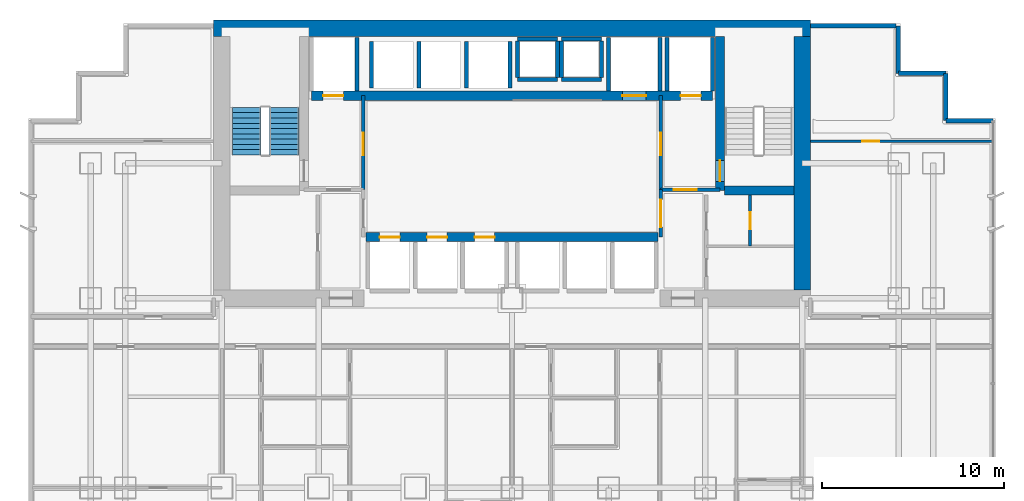
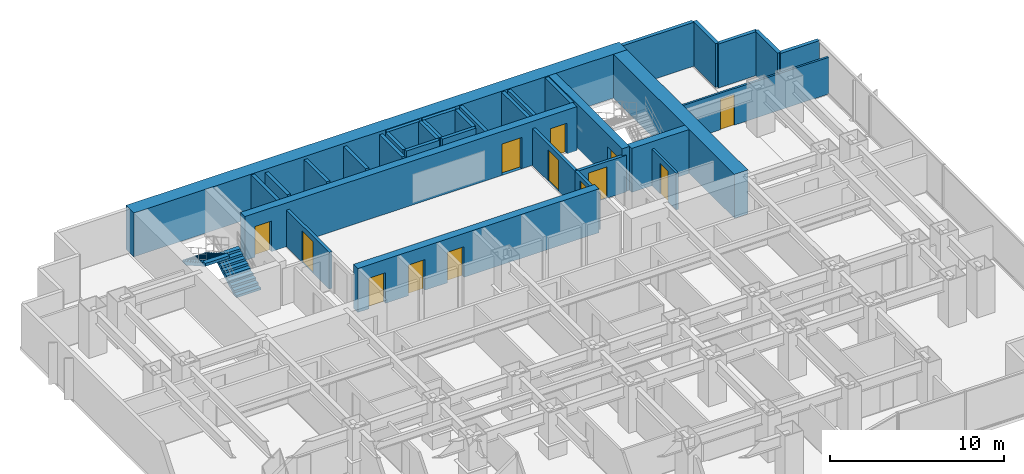
# One storey, part 9 of 12: 34 walls, 13 doors, 2 stair flights, 13 openings, 1 element without a shape of its own.
"""IFC4 building model written with IfcOpenShell, lengths in metres."""

from ifc_helpers import new_model, si_unit, direction, frame, frame_2d, origin, place, context, subcontext, project, spatial, polyline, rectangle, outline, extrude, material, layer, layer_set, type_object, element, fill, aggregate, save


model = new_model("IFC4")

# Units and contexts
model_context = context("Model", 3, precision=1e-05, world=origin(), true_north=direction((0.0, 1.0)))
body_context = subcontext(model_context, "Body", "Model", "MODEL_VIEW")
ifc_project = project(units=[si_unit("LENGTHUNIT", "METRE"), si_unit("AREAUNIT", "SQUARE_METRE"), si_unit("VOLUMEUNIT", "CUBIC_METRE"), si_unit("PLANEANGLEUNIT", "RADIAN"), si_unit("MASSUNIT", "GRAM", prefix="KILO")], contexts=[model_context])

# Site, building, storey
site_placement = place(None, origin())
site = spatial("IfcSite", under=ifc_project, at=site_placement, CompositionType="ELEMENT")
building_placement = place(site_placement, origin())
building = spatial("IfcBuilding", under=site, at=building_placement, Name="Qianlan Lanfeng Residences", CompositionType="ELEMENT")
storey_placement = place(building_placement, frame((0.0, 0.0, 47.300048828125)))
storey = spatial("IfcBuildingStorey", under=building, at=storey_placement, Name="L12", CompositionType="ELEMENT", Elevation=47.300048828125)

# Wall, opening, door
ifc_material_1 = material(Name="Concrete C70", Category="concrete")
ifc_layer_1 = layer(ifc_material_1, 0.5)
ifc_layer_set_1 = layer_set([ifc_layer_1], Name="Concrete C70")
wall_type_1 = type_object("IfcWallType", Name="CW-RC-500", PredefinedType="SHEAR", material=ifc_layer_set_1)
wall_1_placement = place(storey_placement, frame((37.89990234375, 31.10009765625, 0.0), z_axis=(0.0, 0.0, 1.0), x_axis=(0.0, 1.0, 0.0)))
wall_1 = element("IfcWall", 1, at=wall_1_placement, inside=storey, type_object=wall_type_1, Name="L12 Core Shear Wall ST2W", PredefinedType="SHEAR", context=body_context, shape_type="SweptSolid", body=[
    extrude(rectangle(XDim=8.449951171875, YDim=0.5, at=frame_2d((4.22509765625, 0.0))), origin(), (0.0, 0.0, 1.0), 3.079833984375),
])
opening_1_placement = place(wall_1_placement, frame((0.510009765625, 0.0, 0.0)))
opening_1 = element("IfcOpeningElement", 2, at=opening_1_placement, cuts=wall_1, Name="Opening L12-D08", PredefinedType="OPENING", context=body_context, shape_type="SweptSolid", body=[
    extrude(rectangle(XDim=1.14990234375, YDim=2.199951171875, at=frame_2d((0.574951171875, 1.10009765625))), frame((0.0, 0.260009765625, 0.0), z_axis=(0.0, -1.0, 0.0), x_axis=(1.0, 0.0, 0.0)), (0.0, 0.0, 1.0), 0.52001953125),
])
ifc_material_2 = material(Name="Painted Galvanised Steel Fire Door", Category="steel")
door_type_1 = type_object("IfcDoorType", Name="DT-ST1", OperationType="NOTDEFINED", PredefinedType="DOOR", material=ifc_material_2)
door_1_placement = place(opening_1_placement, origin())
door_1 = element("IfcDoor", 3, at=door_1_placement, inside=storey, type_object=door_type_1, Name="L12 Exit Stair ST-2 Door L12-D08 (DT-ST1)", OperationType="SINGLE_SWING_RIGHT", OverallHeight=2.199951171875, OverallWidth=1.14990234375, PredefinedType="DOOR", context=body_context, shape_type="SweptSolid", body=[
    extrude(rectangle(XDim=1.14990234375, YDim=2.199951171875, at=frame_2d((0.574951171875, 1.10009765625))), frame((0.0, 0.02490234375, 0.0), z_axis=(0.0, -1.0, 0.0), x_axis=(1.0, 0.0, 0.0)), (0.0, 0.0, 1.0), 0.050048828125),
])
fill(opening_1, door_1)

# Wall
wall_2_placement = place(storey_placement, frame((38.14990234375, 31.10009765625, 0.0), z_axis=(0.0, 0.0, 1.0), x_axis=(1.0, 0.0, 0.0)))
element("IfcWall", 4, at=wall_2_placement, inside=storey, type_object=wall_type_1, Name="L12 Core Shear Wall ST2S", PredefinedType="SHEAR", context=body_context, shape_type="SweptSolid", body=[
    extrude(rectangle(XDim=3.800048828125, YDim=0.5, at=frame_2d((1.89990234375, 0.0))), origin(), (0.0, 0.0, 1.0), 3.079833984375),
])

# Wall, openings, doors
wall_3_placement = place(storey_placement, frame((15.5, 36.300048828125, 0.0), z_axis=(0.0, 0.0, 1.0), x_axis=(1.0, 0.0, 0.0)))
wall_3 = element("IfcWall", 5, at=wall_3_placement, inside=storey, type_object=wall_type_1, Name="L12 Core Shear Wall LBN", PredefinedType="SHEAR", context=body_context, shape_type="SweptSolid", body=[
    extrude(rectangle(XDim=22.0, YDim=0.5, at=frame_2d((11.0, 0.0))), origin(), (0.0, 0.0, 1.0), 3.079833984375),
])
opening_2_placement = place(wall_3_placement, frame((0.64990234375, 0.0, 0.0)))
opening_2 = element("IfcOpeningElement", 6, at=opening_2_placement, cuts=wall_3, Name="Opening L12-LD-FFL-1", PredefinedType="OPENING", context=body_context, shape_type="SweptSolid", body=[
    extrude(rectangle(XDim=1.10009765625, YDim=2.14990234375, at=frame_2d((0.550048828125, 1.074951171875))), frame((0.0, 0.260009765625, 0.0), z_axis=(0.0, -1.0, 0.0), x_axis=(1.0, 0.0, 0.0)), (0.0, 0.0, 1.0), 0.52001953125),
])
opening_3_placement = place(wall_3_placement, frame((20.25, 0.0, 0.0)))
opening_3 = element("IfcOpeningElement", 7, at=opening_3_placement, cuts=wall_3, Name="Opening L12-LD-FFL-2", PredefinedType="OPENING", context=body_context, shape_type="SweptSolid", body=[
    extrude(rectangle(XDim=1.10009765625, YDim=2.14990234375, at=frame_2d((0.550048828125, 1.074951171875))), frame((0.0, 0.260009765625, 0.0), z_axis=(0.0, -1.0, 0.0), x_axis=(1.0, 0.0, 0.0)), (0.0, 0.0, 1.0), 0.52001953125),
])
opening_4_placement = place(wall_3_placement, frame((17.050048828125, 0.0, 0.0)))
opening_4 = element("IfcOpeningElement", 8, at=opening_4_placement, cuts=wall_3, Name="Opening L12-LD-SVL-1", PredefinedType="OPENING", context=body_context, shape_type="SweptSolid", body=[
    extrude(rectangle(XDim=1.300048828125, YDim=2.199951171875, at=frame_2d((0.64990234375, 1.10009765625))), frame((0.0, 0.260009765625, 0.0), z_axis=(0.0, -1.0, 0.0), x_axis=(1.0, 0.0, 0.0)), (0.0, 0.0, 1.0), 0.52001953125),
])
ifc_material_3 = material(Name="Brushed Stainless Steel Sliding Lift Door", Category="steel")
door_type_2 = type_object("IfcDoorType", Name="LD-01", OperationType="NOTDEFINED", PredefinedType="DOOR", material=ifc_material_3)
door_2_placement = place(opening_2_placement, frame((1.10009765625, 0.0, 0.0), z_axis=(0.0, 0.0, 1.0), x_axis=(-1.0, 0.0, 0.0)))
door_2 = element("IfcDoor", 9, at=door_2_placement, inside=storey, type_object=door_type_2, Name="L12 Elevator FFL-1 Sliding Landing Door", OperationType="DOUBLE_DOOR_SLIDING", OverallHeight=2.14990234375, OverallWidth=1.10009765625, PredefinedType="DOOR", context=body_context, shape_type="SweptSolid", body=[
    extrude(rectangle(XDim=1.10009765625, YDim=2.14990234375, at=frame_2d((0.550048828125, 1.074951171875))), frame((0.0, 0.02490234375, 0.0), z_axis=(0.0, -1.0, 0.0), x_axis=(1.0, 0.0, 0.0)), (0.0, 0.0, 1.0), 0.050048828125),
])
fill(opening_2, door_2)
door_3_placement = place(opening_3_placement, frame((1.10009765625, 0.0, 0.0), z_axis=(0.0, 0.0, 1.0), x_axis=(-1.0, 0.0, 0.0)))
door_3 = element("IfcDoor", 10, at=door_3_placement, inside=storey, type_object=door_type_2, Name="L12 Elevator FFL-2 Sliding Landing Door", OperationType="DOUBLE_DOOR_SLIDING", OverallHeight=2.14990234375, OverallWidth=1.10009765625, PredefinedType="DOOR", context=body_context, shape_type="SweptSolid", body=[
    extrude(rectangle(XDim=1.10009765625, YDim=2.14990234375, at=frame_2d((0.550048828125, 1.074951171875))), frame((0.0, 0.02490234375, 0.0), z_axis=(0.0, -1.0, 0.0), x_axis=(1.0, 0.0, 0.0)), (0.0, 0.0, 1.0), 0.050048828125),
])
fill(opening_3, door_3)
door_type_3 = type_object("IfcDoorType", Name="LD-02", OperationType="NOTDEFINED", PredefinedType="DOOR", material=ifc_material_3)
door_4_placement = place(opening_4_placement, frame((1.300048828125, 0.0, 0.0), z_axis=(0.0, 0.0, 1.0), x_axis=(-1.0, 0.0, 0.0)))
door_4 = element("IfcDoor", 11, at=door_4_placement, inside=storey, type_object=door_type_3, Name="L12 Elevator SVL-1 Sliding Landing Door", OperationType="DOUBLE_DOOR_SLIDING", OverallHeight=2.199951171875, OverallWidth=1.300048828125, PredefinedType="DOOR", context=body_context, shape_type="SweptSolid", body=[
    extrude(rectangle(XDim=1.300048828125, YDim=2.199951171875, at=frame_2d((0.64990234375, 1.10009765625))), frame((0.0, 0.02490234375, 0.0), z_axis=(0.0, -1.0, 0.0), x_axis=(1.0, 0.0, 0.0)), (0.0, 0.0, 1.0), 0.050048828125),
])
fill(opening_4, door_4)

wall_4_placement = place(storey_placement, frame((18.5, 28.550048828125, 0.0), z_axis=(0.0, 0.0, 1.0), x_axis=(1.0, 0.0, 0.0)))
wall_4 = element("IfcWall", 12, at=wall_4_placement, inside=storey, type_object=wall_type_1, Name="L12 Core Shear Wall LBS", PredefinedType="SHEAR", context=body_context, shape_type="SweptSolid", body=[
    extrude(rectangle(XDim=16.0, YDim=0.5, at=frame_2d((8.0, 0.0))), origin(), (0.0, 0.0, 1.0), 3.079833984375),
])
opening_5_placement = place(wall_4_placement, frame((0.75, 0.0, 0.0)))
opening_5 = element("IfcOpeningElement", 13, at=opening_5_placement, cuts=wall_4, Name="Opening L12-LD-PL-L1", PredefinedType="OPENING", context=body_context, shape_type="SweptSolid", body=[
    extrude(rectangle(XDim=1.10009765625, YDim=2.14990234375, at=frame_2d((0.550048828125, 1.074951171875))), frame((0.0, 0.260009765625, 0.0), z_axis=(0.0, -1.0, 0.0), x_axis=(1.0, 0.0, 0.0)), (0.0, 0.0, 1.0), 0.52001953125),
])
opening_6_placement = place(wall_4_placement, frame((3.35009765625, 0.0, 0.0)))
opening_6 = element("IfcOpeningElement", 14, at=opening_6_placement, cuts=wall_4, Name="Opening L12-LD-PL-L2", PredefinedType="OPENING", context=body_context, shape_type="SweptSolid", body=[
    extrude(rectangle(XDim=1.10009765625, YDim=2.14990234375, at=frame_2d((0.550048828125, 1.074951171875))), frame((0.0, 0.260009765625, 0.0), z_axis=(0.0, -1.0, 0.0), x_axis=(1.0, 0.0, 0.0)), (0.0, 0.0, 1.0), 0.52001953125),
])
opening_7_placement = place(wall_4_placement, frame((5.949951171875, 0.0, 0.0)))
opening_7 = element("IfcOpeningElement", 15, at=opening_7_placement, cuts=wall_4, Name="Opening L12-LD-PL-L3", PredefinedType="OPENING", context=body_context, shape_type="SweptSolid", body=[
    extrude(rectangle(XDim=1.10009765625, YDim=2.14990234375, at=frame_2d((0.550048828125, 1.074951171875))), frame((0.0, 0.260009765625, 0.0), z_axis=(0.0, -1.0, 0.0), x_axis=(1.0, 0.0, 0.0)), (0.0, 0.0, 1.0), 0.52001953125),
])
door_5_placement = place(opening_5_placement, origin())
door_5 = element("IfcDoor", 16, at=door_5_placement, inside=storey, type_object=door_type_2, Name="L12 Elevator PL-L1 Sliding Landing Door", OperationType="DOUBLE_DOOR_SLIDING", OverallHeight=2.14990234375, OverallWidth=1.10009765625, PredefinedType="DOOR", context=body_context, shape_type="SweptSolid", body=[
    extrude(rectangle(XDim=1.10009765625, YDim=2.14990234375, at=frame_2d((0.550048828125, 1.074951171875))), frame((0.0, 0.02490234375, 0.0), z_axis=(0.0, -1.0, 0.0), x_axis=(1.0, 0.0, 0.0)), (0.0, 0.0, 1.0), 0.050048828125),
])
fill(opening_5, door_5)
door_6_placement = place(opening_6_placement, origin())
door_6 = element("IfcDoor", 17, at=door_6_placement, inside=storey, type_object=door_type_2, Name="L12 Elevator PL-L2 Sliding Landing Door", OperationType="DOUBLE_DOOR_SLIDING", OverallHeight=2.14990234375, OverallWidth=1.10009765625, PredefinedType="DOOR", context=body_context, shape_type="SweptSolid", body=[
    extrude(rectangle(XDim=1.10009765625, YDim=2.14990234375, at=frame_2d((0.550048828125, 1.074951171875))), frame((0.0, 0.02490234375, 0.0), z_axis=(0.0, -1.0, 0.0), x_axis=(1.0, 0.0, 0.0)), (0.0, 0.0, 1.0), 0.050048828125),
])
fill(opening_6, door_6)
door_7_placement = place(opening_7_placement, origin())
door_7 = element("IfcDoor", 18, at=door_7_placement, inside=storey, type_object=door_type_2, Name="L12 Elevator PL-L3 Sliding Landing Door", OperationType="DOUBLE_DOOR_SLIDING", OverallHeight=2.14990234375, OverallWidth=1.10009765625, PredefinedType="DOOR", context=body_context, shape_type="SweptSolid", body=[
    extrude(rectangle(XDim=1.10009765625, YDim=2.14990234375, at=frame_2d((0.550048828125, 1.074951171875))), frame((0.0, 0.02490234375, 0.0), z_axis=(0.0, -1.0, 0.0), x_axis=(1.0, 0.0, 0.0)), (0.0, 0.0, 1.0), 0.050048828125),
])
fill(opening_7, door_7)

# Walls
ifc_layer_2 = layer(ifc_material_1, 0.89990234375)
ifc_layer_set_2 = layer_set([ifc_layer_2], Name="Concrete C70")
wall_type_2 = type_object("IfcWallType", Name="CW-RC-900", PredefinedType="SHEAR", material=ifc_layer_set_2)
wall_5_placement = place(storey_placement, frame((10.14990234375, 40.0, 0.0), z_axis=(0.0, 0.0, 1.0), x_axis=(1.0, 0.0, 0.0)))
element("IfcWall", 19, at=wall_5_placement, inside=storey, type_object=wall_type_2, Name="L12 Core Shear Wall N", PredefinedType="SHEAR", context=body_context, shape_type="SweptSolid", body=[
    extrude(rectangle(XDim=32.7001953125, YDim=0.89990234375, at=frame_2d((16.35009765625, 0.0))), origin(), (0.0, 0.0, 1.0), 3.079833984375),
])
wall_6_placement = place(storey_placement, frame((42.39990234375, 25.64990234375, 0.0), z_axis=(0.0, 0.0, 1.0), x_axis=(0.0, 1.0, 0.0)))
element("IfcWall", 20, at=wall_6_placement, inside=storey, type_object=wall_type_2, Name="L12 Core Shear Wall E", PredefinedType="SHEAR", context=body_context, shape_type="SweptSolid", body=[
    extrude(rectangle(XDim=13.900146484375, YDim=0.89990234375, at=frame_2d((6.9501953125, 0.0))), origin(), (0.0, 0.0, 1.0), 3.079833984375),
])
ifc_material_4 = material(Name="Concrete C42", Category="concrete")
ifc_layer_3 = layer(ifc_material_4, 0.239990234375)
ifc_layer_set_3 = layer_set([ifc_layer_3], Name="Concrete C42")
wall_type_3 = type_object("IfcWallType", Name="EW-240", PredefinedType="SOLIDWALL", material=ifc_layer_set_3)
wall_7_placement = place(storey_placement, frame((52.8798828125, 34.929931640625, 0.0), z_axis=(0.0, 0.0, 1.0), x_axis=(-1.0, 0.0, 0.0)))
element("IfcWall", 21, at=wall_7_placement, inside=storey, type_object=wall_type_3, Name="L12 Exterior Facade Spandrel Wall 11", PredefinedType="SOLIDWALL", context=body_context, shape_type="SweptSolid", body=[
    extrude(rectangle(XDim=2.599853515625, YDim=0.239990234375, at=frame_2d((1.2998046875, 0.0))), origin(), (0.0, 0.0, 1.0), 3.079833984375),
])
for number, where, z_axis, x_axis, name in (
    (22, (50.280029296875, 34.929931640625, 0.0), (0.0, 0.0, 1.0), (0.0, 1.0, 0.0), "L12 Exterior Facade Spandrel Wall 12"),
    (23, (50.280029296875, 37.530029296875, 0.0), (0.0, 0.0, 1.0), (-1.0, 0.0, 0.0), "L12 Exterior Facade Spandrel Wall 13"),
):
    element("IfcWall", number, at=place(storey_placement, frame(where, z_axis=z_axis, x_axis=x_axis)), inside=storey, type_object=wall_type_3, Name=name, PredefinedType="SOLIDWALL", context=body_context, shape_type="SweptSolid", body=[
        extrude(rectangle(XDim=2.60009765625, YDim=0.239990234375, at=frame_2d((1.300048828125, 0.0))), origin(), (0.0, 0.0, 1.0), 3.079833984375),
    ])
wall_8_placement = place(storey_placement, frame((47.679931640625, 37.530029296875, 0.0), z_axis=(0.0, 0.0, 1.0), x_axis=(0.0, 1.0, 0.0)))
element("IfcWall", 24, at=wall_8_placement, inside=storey, type_object=wall_type_3, Name="L12 Exterior Facade Spandrel Wall 14", PredefinedType="SOLIDWALL", context=body_context, shape_type="SweptSolid", body=[
    extrude(rectangle(XDim=2.599853515625, YDim=0.239990234375, at=frame_2d((1.2998046875, 0.0))), origin(), (0.0, 0.0, 1.0), 3.079833984375),
])
wall_9_placement = place(storey_placement, frame((47.550048828125, 40.1298828125, 0.0), z_axis=(0.0, 0.0, 1.0), x_axis=(-1.0, 0.0, 0.0)))
element("IfcWall", 25, at=wall_9_placement, inside=storey, type_object=wall_type_3, Name="L12 North Wing Exterior Wall E", PredefinedType="SOLIDWALL", context=body_context, shape_type="SweptSolid", body=[
    extrude(rectangle(XDim=4.699951171875, YDim=0.239990234375, at=frame_2d((2.35009765625, 0.0))), origin(), (0.0, 0.0, 1.0), 3.079833984375),
])

# Wall, opening, door
ifc_material_5 = material(Name="Moisture-Resistant Gypsum Partition 135 mm")
ifc_layer_4 = layer(ifc_material_5, 0.135009765625)
ifc_layer_set_4 = layer_set([ifc_layer_4], Name="Moisture-Resistant Gypsum Partition 135 mm")
wall_type_4 = type_object("IfcWallType", Name="PW-135", PredefinedType="PARTITIONING", material=ifc_layer_set_4)
wall_10_placement = place(storey_placement, frame((42.85009765625, 33.800048828125, 0.0), z_axis=(0.0, 0.0, 1.0), x_axis=(1.0, 0.0, 0.0)))
wall_10 = element("IfcWall", 26, at=wall_10_placement, inside=storey, type_object=wall_type_4, Name="L12 EW North Wing Wall", PredefinedType="PARTITIONING", context=body_context, shape_type="SweptSolid", body=[
    extrude(rectangle(XDim=10.02978515625, YDim=0.135009765625, at=frame_2d((5.014892578125, 0.0))), origin(), (0.0, 0.0, 1.0), 2.570068359375),
])
opening_8_placement = place(wall_10_placement, frame((2.85498046875, 0.0, 0.0)))
opening_8 = element("IfcOpeningElement", 27, at=opening_8_placement, cuts=wall_10, Name="Opening L12-D41", PredefinedType="OPENING", context=body_context, shape_type="SweptSolid", body=[
    extrude(rectangle(XDim=0.919921875, YDim=2.14990234375, at=frame_2d((0.4599609375, 1.074951171875))), frame((0.0, 0.07763671875, 0.0), z_axis=(0.0, -1.0, 0.0), x_axis=(1.0, 0.0, 0.0)), (0.0, 0.0, 1.0), 0.155029296875),
])
ifc_material_6 = material(Name="Glazed Timber Kitchen/Study Door", Category="wood")
door_type_4 = type_object("IfcDoorType", Name="DT-INT", OperationType="NOTDEFINED", PredefinedType="DOOR", material=ifc_material_6)
door_8_placement = place(opening_8_placement, origin())
door_8 = element("IfcDoor", 28, at=door_8_placement, inside=storey, type_object=door_type_4, Name="L12 EW Inner Salon Door L12-D41 (DT-INT)", OperationType="SINGLE_SWING_LEFT", OverallHeight=2.14990234375, OverallWidth=0.919921875, PredefinedType="DOOR", context=body_context, shape_type="SweptSolid", body=[
    extrude(rectangle(XDim=0.919921875, YDim=2.14990234375, at=frame_2d((0.4599609375, 1.074951171875))), frame((0.0, 0.02490234375, 0.0), z_axis=(0.0, -1.0, 0.0), x_axis=(1.0, 0.0, 0.0)), (0.0, 0.0, 1.0), 0.050048828125),
])
fill(opening_8, door_8)

ifc_material_7 = material(Name="Acoustic Drywall Partition 150 mm")
ifc_layer_5 = layer(ifc_material_7, 0.14990234375)
ifc_layer_set_5 = layer_set([ifc_layer_5], Name="Acoustic Drywall Partition 150 mm")
wall_type_5 = type_object("IfcWallType", Name="PW-150", PredefinedType="PARTITIONING", material=ifc_layer_set_5)
wall_11_placement = place(storey_placement, frame((39.550048828125, 28.050048828125, 0.0), z_axis=(0.0, 0.0, 1.0), x_axis=(0.0, 1.0, 0.0)))
wall_11 = element("IfcWall", 29, at=wall_11_placement, inside=storey, type_object=wall_type_5, Name="L12 Core East V Split", PredefinedType="PARTITIONING", context=body_context, shape_type="SweptSolid", body=[
    extrude(rectangle(XDim=2.800048828125, YDim=0.14990234375, at=frame_2d((1.39990234375, 0.0))), origin(), (0.0, 0.0, 1.0), 2.570068359375),
])
opening_9_placement = place(wall_11_placement, frame((0.93994140625, 0.0, 0.0)))
opening_9 = element("IfcOpeningElement", 30, at=opening_9_placement, cuts=wall_11, Name="Opening L12-D12", PredefinedType="OPENING", context=body_context, shape_type="SweptSolid", body=[
    extrude(rectangle(XDim=0.919921875, YDim=2.14990234375, at=frame_2d((0.4599609375, 1.074951171875))), frame((0.0, 0.0849609375, 0.0), z_axis=(0.0, -1.0, 0.0), x_axis=(1.0, 0.0, 0.0)), (0.0, 0.0, 1.0), 0.169921875),
])
door_9_placement = place(opening_9_placement, origin())
door_9 = element("IfcDoor", 31, at=door_9_placement, inside=storey, type_object=door_type_4, Name="L12 Inner Supply Closet Door L12-D12 (DT-INT)", OperationType="SINGLE_SWING_RIGHT", OverallHeight=2.14990234375, OverallWidth=0.919921875, PredefinedType="DOOR", context=body_context, shape_type="SweptSolid", body=[
    extrude(rectangle(XDim=0.919921875, YDim=2.14990234375, at=frame_2d((0.4599609375, 1.074951171875))), frame((0.0, 0.02490234375, 0.0), z_axis=(0.0, -1.0, 0.0), x_axis=(1.0, 0.0, 0.0)), (0.0, 0.0, 1.0), 0.050048828125),
])
fill(opening_9, door_9)

ifc_material_8 = material(Name="Autoclaved Aerated Concrete Blockwork 200 mm", Category="masonry")
ifc_layer_6 = layer(ifc_material_8, 0.199951171875)
ifc_layer_set_6 = layer_set([ifc_layer_6], Name="Autoclaved Aerated Concrete Blockwork 200 mm")
wall_type_6 = type_object("IfcWallType", Name="PW-200", PredefinedType="PARTITIONING", material=ifc_layer_set_6)
wall_12_placement = place(storey_placement, frame((18.35009765625, 31.14990234375, 0.0), z_axis=(0.0, 0.0, 1.0), x_axis=(0.0, 1.0, 0.0)))
wall_12 = element("IfcWall", 32, at=wall_12_placement, inside=storey, type_object=wall_type_6, Name="L12 Firefighting Lobby 1 East Wall", PredefinedType="PARTITIONING", context=body_context, shape_type="SweptSolid", body=[
    extrude(rectangle(XDim=5.150146484375, YDim=0.199951171875, at=frame_2d((2.5751953125, 0.0))), origin(), (0.0, 0.0, 1.0), 2.570068359375),
])
opening_10_placement = place(wall_12_placement, frame((1.875, 0.0, 0.0)))
opening_10 = element("IfcOpeningElement", 33, at=opening_10_placement, cuts=wall_12, Name="Opening L12-D04", PredefinedType="OPENING", context=body_context, shape_type="SweptSolid", body=[
    extrude(rectangle(XDim=1.25, YDim=2.199951171875, at=frame_2d((0.625, 1.10009765625))), frame((0.0, 0.10986328125, 0.0), z_axis=(0.0, -1.0, 0.0), x_axis=(1.0, 0.0, 0.0)), (0.0, 0.0, 1.0), 0.219970703125),
])
door_type_5 = type_object("IfcDoorType", Name="DT-FFL", OperationType="NOTDEFINED", PredefinedType="DOOR", material=ifc_material_2)
door_10_placement = place(opening_10_placement, origin())
door_10 = element("IfcDoor", 34, at=door_10_placement, inside=storey, type_object=door_type_5, Name="L12 Firefighting Lobby 1 Lift Lobby Door L12-D04 (DT-FFL)", OperationType="SINGLE_SWING_RIGHT", OverallHeight=2.199951171875, OverallWidth=1.25, PredefinedType="DOOR", context=body_context, shape_type="SweptSolid", body=[
    extrude(rectangle(XDim=1.25, YDim=2.199951171875, at=frame_2d((0.625, 1.10009765625))), frame((0.0, 0.02490234375, 0.0), z_axis=(0.0, -1.0, 0.0), x_axis=(1.0, 0.0, 0.0)), (0.0, 0.0, 1.0), 0.050048828125),
])
fill(opening_10, door_10)

wall_13_placement = place(storey_placement, frame((34.64990234375, 31.14990234375, 0.0), z_axis=(0.0, 0.0, 1.0), x_axis=(1.0, 0.0, 0.0)))
wall_13 = element("IfcWall", 35, at=wall_13_placement, inside=storey, type_object=wall_type_6, Name="L12 Firefighting Lobby 2 South Wall", PredefinedType="PARTITIONING", context=body_context, shape_type="SweptSolid", body=[
    extrude(rectangle(XDim=3.25, YDim=0.199951171875, at=frame_2d((1.625, 0.0))), origin(), (0.0, 0.0, 1.0), 2.570068359375),
])
opening_11_placement = place(wall_13_placement, frame((0.72509765625, 0.0, 0.0)))
opening_11 = element("IfcOpeningElement", 36, at=opening_11_placement, cuts=wall_13, Name="Opening L12-D05", PredefinedType="OPENING", context=body_context, shape_type="SweptSolid", body=[
    extrude(rectangle(XDim=1.25, YDim=2.199951171875, at=frame_2d((0.625, 1.10009765625))), frame((0.0, 0.10986328125, 0.0), z_axis=(0.0, -1.0, 0.0), x_axis=(1.0, 0.0, 0.0)), (0.0, 0.0, 1.0), 0.219970703125),
])
door_11_placement = place(opening_11_placement, origin())
door_11 = element("IfcDoor", 37, at=door_11_placement, inside=storey, type_object=door_type_5, Name="L12 Firefighting Lobby 2 Entry Door L12-D05 (DT-FFL)", OperationType="SINGLE_SWING_RIGHT", OverallHeight=2.199951171875, OverallWidth=1.25, PredefinedType="DOOR", context=body_context, shape_type="SweptSolid", body=[
    extrude(rectangle(XDim=1.25, YDim=2.199951171875, at=frame_2d((0.625, 1.10009765625))), frame((0.0, 0.02490234375, 0.0), z_axis=(0.0, -1.0, 0.0), x_axis=(1.0, 0.0, 0.0)), (0.0, 0.0, 1.0), 0.050048828125),
])
fill(opening_11, door_11)

wall_14_placement = place(storey_placement, frame((34.64990234375, 31.14990234375, 0.0), z_axis=(0.0, 0.0, 1.0), x_axis=(0.0, 1.0, 0.0)))
wall_14 = element("IfcWall", 38, at=wall_14_placement, inside=storey, type_object=wall_type_6, Name="L12 Firefighting Lobby 2 West Wall", PredefinedType="PARTITIONING", context=body_context, shape_type="SweptSolid", body=[
    extrude(rectangle(XDim=5.150146484375, YDim=0.199951171875, at=frame_2d((2.5751953125, 0.0))), origin(), (0.0, 0.0, 1.0), 2.570068359375),
])
opening_12_placement = place(wall_14_placement, frame((1.875, 0.0, 0.0)))
opening_12 = element("IfcOpeningElement", 39, at=opening_12_placement, cuts=wall_14, Name="Opening L12-D06", PredefinedType="OPENING", context=body_context, shape_type="SweptSolid", body=[
    extrude(rectangle(XDim=1.25, YDim=2.199951171875, at=frame_2d((0.625, 1.10009765625))), frame((0.0, 0.10986328125, 0.0), z_axis=(0.0, -1.0, 0.0), x_axis=(1.0, 0.0, 0.0)), (0.0, 0.0, 1.0), 0.219970703125),
])
door_12_placement = place(opening_12_placement, origin())
door_12 = element("IfcDoor", 40, at=door_12_placement, inside=storey, type_object=door_type_5, Name="L12 Firefighting Lobby 2 Lift Lobby Door L12-D06 (DT-FFL)", OperationType="SINGLE_SWING_RIGHT", OverallHeight=2.199951171875, OverallWidth=1.25, PredefinedType="DOOR", context=body_context, shape_type="SweptSolid", body=[
    extrude(rectangle(XDim=1.25, YDim=2.199951171875, at=frame_2d((0.625, 1.10009765625))), frame((0.0, 0.02490234375, 0.0), z_axis=(0.0, -1.0, 0.0), x_axis=(1.0, 0.0, 0.0)), (0.0, 0.0, 1.0), 0.050048828125),
])
fill(opening_12, door_12)

wall_15_placement = place(storey_placement, frame((34.64990234375, 28.550048828125, 0.0), z_axis=(0.0, 0.0, 1.0), x_axis=(0.0, 1.0, 0.0)))
wall_15 = element("IfcWall", 41, at=wall_15_placement, inside=storey, type_object=wall_type_6, Name="L12 Lift Lobby East Connector Wall", PredefinedType="PARTITIONING", context=body_context, shape_type="SweptSolid", body=[
    extrude(rectangle(XDim=2.599853515625, YDim=0.199951171875, at=frame_2d((1.2998046875, 0.0))), origin(), (0.0, 0.0, 1.0), 2.570068359375),
])
opening_13_placement = place(wall_15_placement, frame((0.550048828125, 0.0, 0.0)))
opening_13 = element("IfcOpeningElement", 42, at=opening_13_placement, cuts=wall_15, Name="Opening L12-D14", PredefinedType="OPENING", context=body_context, shape_type="SweptSolid", body=[
    extrude(rectangle(XDim=1.5, YDim=2.25, at=frame_2d((0.75, 1.125))), frame((0.0, 0.10986328125, 0.0), z_axis=(0.0, -1.0, 0.0), x_axis=(1.0, 0.0, 0.0)), (0.0, 0.0, 1.0), 0.219970703125),
])
ifc_material_9 = material(Name="Timber Veneer Acoustic Fire Door", Category="wood")
door_type_6 = type_object("IfcDoorType", Name="DT-COR1", OperationType="NOTDEFINED", PredefinedType="DOOR", material=ifc_material_9)
door_13_placement = place(opening_13_placement, frame((1.5, 0.0, 0.0), z_axis=(0.0, 0.0, 1.0), x_axis=(-1.0, 0.0, 0.0)))
door_13 = element("IfcDoor", 43, at=door_13_placement, inside=storey, type_object=door_type_6, Name="L12 Lift Lobby East Portal Door L12-D14 (DT-COR1)", OperationType="DOUBLE_DOOR_SINGLE_SWING", OverallHeight=2.25, OverallWidth=1.5, PredefinedType="DOOR", context=body_context, shape_type="SweptSolid", body=[
    extrude(rectangle(XDim=1.5, YDim=2.25, at=frame_2d((0.75, 1.125))), frame((0.0, 0.02490234375, 0.0), z_axis=(0.0, -1.0, 0.0), x_axis=(1.0, 0.0, 0.0)), (0.0, 0.0, 1.0), 0.050048828125),
])
fill(opening_13, door_13)

# Walls
ifc_material_10 = material(Name="Concrete C49", Category="concrete")
ifc_layer_7 = layer(ifc_material_10, 0.219970703125)
ifc_layer_set_7 = layer_set([ifc_layer_7], Name="Concrete C49")
wall_type_7 = type_object("IfcWallType", Name="SHW-220", PredefinedType="SOLIDWALL", material=ifc_layer_set_7)
for number, where, z_axis, x_axis, name in (
    (44, (18.0, 36.550048828125, 0.0), (0.0, 0.0, 1.0), (0.0, 1.0, 0.0), "L12 Lift FFL-1 Shaft Wall E"),
    (45, (35.0, 36.550048828125, 0.0), (0.0, 0.0, 1.0), (0.0, 1.0, 0.0), "L12 Lift FFL-2 Shaft Wall W"),
    (46, (37.47998046875, 36.550048828125, 0.0), (0.0, 0.0, 1.0), (0.0, 1.0, 0.0), "L12 Lift FFL-2 Shaft Wall E"),
    (47, (31.800048828125, 36.550048828125, 0.0), (0.0, 0.0, 1.0), (0.0, 1.0, 0.0), "L12 Lift SVL-1 Shaft Wall W"),
    (48, (34.60009765625, 36.550048828125, 0.0), (0.0, 0.0, 1.0), (0.0, 1.0, 0.0), "L12 Lift SVL-1 Shaft Wall E"),
):
    element("IfcWall", number, at=place(storey_placement, frame(where, z_axis=z_axis, x_axis=x_axis)), inside=storey, type_object=wall_type_7, Name=name, PredefinedType="SOLIDWALL", context=body_context, shape_type="SweptSolid", body=[
        extrude(rectangle(XDim=2.929931640625, YDim=0.219970703125, at=frame_2d((1.46484375, 0.0))), origin(), (0.0, 0.0, 1.0), 3.079833984375),
    ])
for number, where, z_axis, x_axis, name in (
    (49, (18.800048828125, 36.719970703125, 0.0), (0.0, 0.0, 1.0), (0.0, 1.0, 0.0), "L12 Lift PL-H1 Shaft Wall W"),
    (50, (21.39990234375, 36.719970703125, 0.0), (0.0, 0.0, 1.0), (0.0, 1.0, 0.0), "L12 Lift PL-H2 Shaft Wall W"),
    (51, (24.0, 36.719970703125, 0.0), (0.0, 0.0, 1.0), (0.0, 1.0, 0.0), "L12 Lift PL-H3 Shaft Wall W"),
    (52, (26.39990234375, 36.719970703125, 0.0), (0.0, 0.0, 1.0), (0.0, 1.0, 0.0), "L12 Lift PL-H3 Shaft Wall E"),
):
    element("IfcWall", number, at=place(storey_placement, frame(where, z_axis=z_axis, x_axis=x_axis)), inside=storey, type_object=wall_type_7, Name=name, PredefinedType="SOLIDWALL", context=body_context, shape_type="SweptSolid", body=[
        extrude(rectangle(XDim=2.56005859375, YDim=0.219970703125, at=frame_2d((1.280029296875, 0.0))), origin(), (0.0, 0.0, 1.0), 3.079833984375),
    ])
for number, where, z_axis, x_axis, name in (
    (53, (26.800048828125, 37.31005859375, 0.0), (0.0, 0.0, 1.0), (0.0, 1.0, 0.0), "L12 MEP Riser MEP-R1 Shaft Wall W"),
    (54, (29.0, 37.31005859375, 0.0), (0.0, 0.0, 1.0), (0.0, 1.0, 0.0), "L12 MEP Riser MEP-R1 Shaft Wall E"),
):
    element("IfcWall", number, at=place(storey_placement, frame(where, z_axis=z_axis, x_axis=x_axis)), inside=storey, type_object=wall_type_7, Name=name, PredefinedType="SOLIDWALL", context=body_context, shape_type="SweptSolid", body=[
        extrude(rectangle(XDim=1.97998046875, YDim=0.219970703125, at=frame_2d((0.989990234375, 0.0))), origin(), (0.0, 0.0, 1.0), 3.079833984375),
    ])
for number, where, z_axis, x_axis, name in (
    (55, (26.800048828125, 39.39990234375, 0.0), (0.0, 0.0, 1.0), (1.0, 0.0, 0.0), "L12 MEP Riser MEP-R1 Shaft Wall N"),
    (56, (26.800048828125, 37.199951171875, 0.0), (0.0, 0.0, 1.0), (1.0, 0.0, 0.0), "L12 MEP Riser MEP-R1 Shaft Wall S"),
):
    element("IfcWall", number, at=place(storey_placement, frame(where, z_axis=z_axis, x_axis=x_axis)), inside=storey, type_object=wall_type_7, Name=name, PredefinedType="SOLIDWALL", context=body_context, shape_type="SweptSolid", body=[
        extrude(rectangle(XDim=2.199951171875, YDim=0.219970703125, at=frame_2d((1.10009765625, 0.0))), origin(), (0.0, 0.0, 1.0), 3.079833984375),
    ])
for number, where, z_axis, x_axis, name in (
    (57, (29.199951171875, 37.31005859375, 0.0), (0.0, 0.0, 1.0), (0.0, 1.0, 0.0), "L12 MEP Riser MEP-R2 Shaft Wall W"),
    (58, (31.39990234375, 37.31005859375, 0.0), (0.0, 0.0, 1.0), (0.0, 1.0, 0.0), "L12 MEP Riser MEP-R2 Shaft Wall E"),
):
    element("IfcWall", number, at=place(storey_placement, frame(where, z_axis=z_axis, x_axis=x_axis)), inside=storey, type_object=wall_type_7, Name=name, PredefinedType="SOLIDWALL", context=body_context, shape_type="SweptSolid", body=[
        extrude(rectangle(XDim=1.97998046875, YDim=0.219970703125, at=frame_2d((0.989990234375, 0.0))), origin(), (0.0, 0.0, 1.0), 3.079833984375),
    ])
for number, where, z_axis, x_axis, name in (
    (59, (29.199951171875, 39.39990234375, 0.0), (0.0, 0.0, 1.0), (1.0, 0.0, 0.0), "L12 MEP Riser MEP-R2 Shaft Wall N"),
    (60, (29.199951171875, 37.199951171875, 0.0), (0.0, 0.0, 1.0), (1.0, 0.0, 0.0), "L12 MEP Riser MEP-R2 Shaft Wall S"),
):
    element("IfcWall", number, at=place(storey_placement, frame(where, z_axis=z_axis, x_axis=x_axis)), inside=storey, type_object=wall_type_7, Name=name, PredefinedType="SOLIDWALL", context=body_context, shape_type="SweptSolid", body=[
        extrude(rectangle(XDim=2.199951171875, YDim=0.219970703125, at=frame_2d((1.10009765625, 0.0))), origin(), (0.0, 0.0, 1.0), 3.079833984375),
    ])

# Stair, stair flights
stair_type = type_object("IfcStairType", Name="STR-MAIN", PredefinedType="HALF_TURN_STAIR", material=ifc_material_4)
stair_placement = place(storey_placement, origin())
stair = element("IfcStair", 61, at=stair_placement, inside=storey, type_object=stair_type, Name="L12 Exit Stair ST-1", PredefinedType="HALF_TURN_STAIR")
stair_flight_type = type_object("IfcStairFlightType", Name="FLT-1720", PredefinedType="STRAIGHT", material=ifc_material_4)
stair_flight_1_placement = place(storey_placement, frame((14.02001953125, 33.050048828125, 0.0), z_axis=(0.0, 0.0, 1.0), x_axis=(0.0, 1.0, 0.0)))
stair_flight_1 = element("IfcStairFlight", 62, at=stair_flight_1_placement, type_object=stair_flight_type, Name="ST-1 flight 1", NumberOfRisers=10, NumberOfTreads=9, PredefinedType="STRAIGHT", RiserHeight=0.165, TreadLength=0.29, context=body_context, shape_type="SweptSolid", body=[
    extrude(outline(polyline([(0.0, 0.0), (0.0, 0.1650390625), (0.2900390625, 0.1650390625), (0.2900390625, 0.330078125), (0.580078125, 0.330078125), (0.580078125, 0.4951171875), (0.8701171875, 0.4951171875), (0.8701171875, 0.659912109375), (1.159912109375, 0.659912109375), (1.159912109375, 0.824951171875), (1.449951171875, 0.824951171875), (1.449951171875, 0.989990234375), (1.739990234375, 0.989990234375), (1.739990234375, 1.155029296875), (2.030029296875, 1.155029296875), (2.030029296875, 1.320068359375), (2.320068359375, 1.320068359375), (2.320068359375, 1.485107421875), (2.610107421875, 1.485107421875), (2.610107421875, 1.64990234375), (2.610107421875, 1.278076171875), (0.36376953125, 0.0), (0.0, 0.0)])), frame((0.0, 0.800048828125, 0.0), z_axis=(0.0, -1.0, 0.0), x_axis=(1.0, 0.0, 0.0)), (0.0, 0.0, 1.0), 1.60009765625),
])
stair_flight_2_placement = place(storey_placement, frame((11.93994140625, 35.659912109375, 1.64990234375), z_axis=(0.0, 0.0, 1.0), x_axis=(0.0, -1.0, 0.0)))
stair_flight_2 = element("IfcStairFlight", 63, at=stair_flight_2_placement, type_object=stair_flight_type, Name="ST-1 flight 2", NumberOfRisers=10, NumberOfTreads=9, PredefinedType="STRAIGHT", RiserHeight=0.165, TreadLength=0.29, context=body_context, shape_type="SweptSolid", body=[
    extrude(outline(polyline([(0.0, 0.0), (0.0, 0.1650390625), (0.2900390625, 0.1650390625), (0.2900390625, 0.330078125), (0.580078125, 0.330078125), (0.580078125, 0.4951171875), (0.8701171875, 0.4951171875), (0.8701171875, 0.659912109375), (1.159912109375, 0.659912109375), (1.159912109375, 0.824951171875), (1.449951171875, 0.824951171875), (1.449951171875, 0.989990234375), (1.739990234375, 0.989990234375), (1.739990234375, 1.155029296875), (2.030029296875, 1.155029296875), (2.030029296875, 1.320068359375), (2.320068359375, 1.320068359375), (2.320068359375, 1.485107421875), (2.610107421875, 1.485107421875), (2.610107421875, 1.64990234375), (2.610107421875, 1.278076171875), (0.36376953125, 0.0), (0.0, 0.0)])), frame((0.0, 0.800048828125, 0.0), z_axis=(0.0, -1.0, 0.0), x_axis=(1.0, 0.0, 0.0)), (0.0, 0.0, 1.0), 1.60009765625),
])
aggregate(stair, [stair_flight_1, stair_flight_2])

save(model, "model.ifc")
